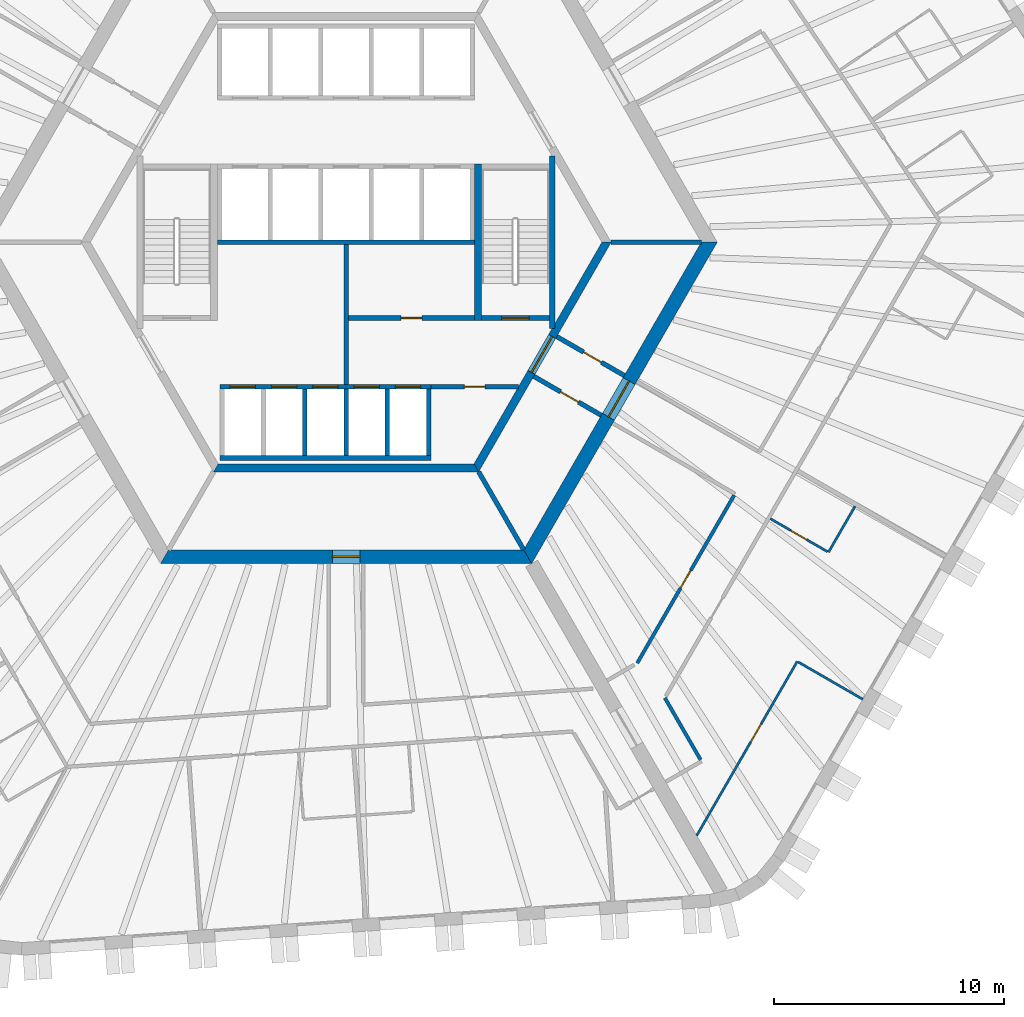
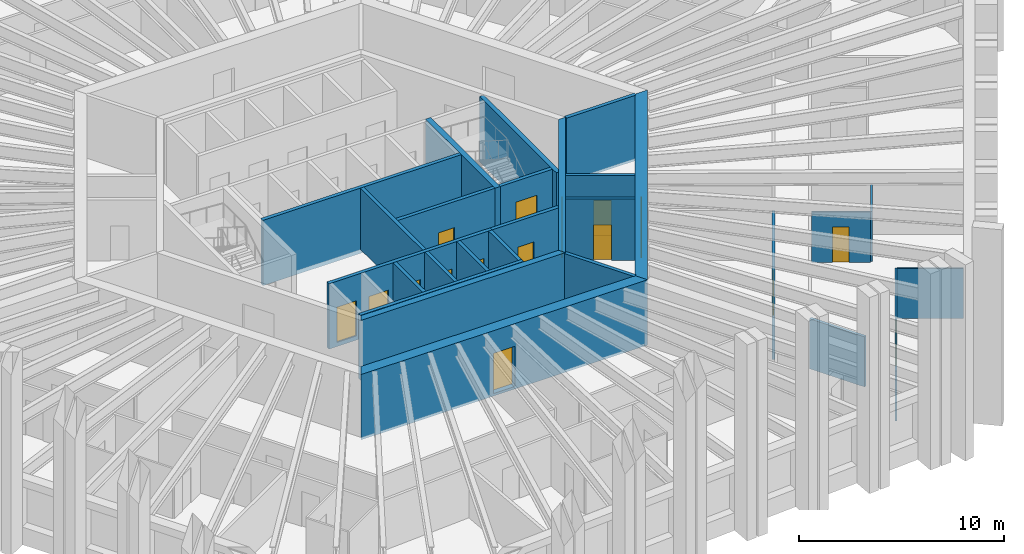
# One storey, part 5 of 13: 27 walls, 16 doors, 16 openings.
"""IFC4 building model written with IfcOpenShell, lengths in metres."""

from ifc_helpers import new_model, si_unit, direction, frame, frame_2d, origin, place, context, subcontext, project, spatial, polyline, rectangle, outline, extrude, material, layer, layer_set, type_object, element, fill, save


model = new_model("IFC4")

# Units and contexts
model_context = context("Model", 3, precision=1e-05, world=origin(), true_north=direction((0.0, 1.0)))
body_context = subcontext(model_context, "Body", "Model", "MODEL_VIEW")
ifc_project = project(units=[si_unit("LENGTHUNIT", "METRE"), si_unit("AREAUNIT", "SQUARE_METRE"), si_unit("VOLUMEUNIT", "CUBIC_METRE"), si_unit("PLANEANGLEUNIT", "RADIAN"), si_unit("MASSUNIT", "GRAM", prefix="KILO")], contexts=[model_context])

# Site, building, storey
site_placement = place(None, origin())
site = spatial("IfcSite", under=ifc_project, at=site_placement, CompositionType="ELEMENT")
building_placement = place(site_placement, origin())
building = spatial("IfcBuilding", under=site, at=building_placement, Name="Tarnside Tower", CompositionType="ELEMENT")
storey_placement = place(building_placement, frame((0.0, 0.0, 68.699951171875)))
storey = spatial("IfcBuildingStorey", under=building, at=storey_placement, Name="L14", CompositionType="ELEMENT", Elevation=68.699951171875)

# Wall
ifc_material_1 = material(Name="Gypsum board partition on steel studs", Category="steel")
ifc_layer_1 = layer(ifc_material_1, 0.10009765625)
ifc_layer_set_1 = layer_set([ifc_layer_1], Name="Bathroom wall 100")
wall_type_1 = type_object("IfcWallType", Name="Bathroom wall 100", PredefinedType="PARTITIONING", material=ifc_layer_set_1)
wall_1_placement = place(storey_placement, frame((22.16796875, -11.504150390625, 0.0), z_axis=(0.0, 0.0, 1.0), x_axis=(-0.500015210774, -0.866016621662, 0.0)))
element("IfcWall", 1, at=wall_1_placement, inside=storey, type_object=wall_type_1, Name="Bathroom wall 04127", PredefinedType="PARTITIONING", context=body_context, shape_type="SweptSolid", body=[
    extrude(rectangle(XDim=2.31005859375, YDim=0.10009765625, at=frame_2d((1.155029296875, 0.0))), origin(), (0.0, 0.0, 1.0), 2.98779296875),
])

# Wall, opening, door
wall_2_placement = place(storey_placement, frame((20.969482421875, -13.479736328125, 0.0), z_axis=(0.0, 0.0, 1.0), x_axis=(-0.866018712932, 0.500011588718, 0.0)))
wall_2 = element("IfcWall", 2, at=wall_2_placement, inside=storey, type_object=wall_type_1, Name="Bathroom wall 04128", PredefinedType="PARTITIONING", context=body_context, shape_type="SweptSolid", body=[
    extrude(rectangle(XDim=2.875, YDim=0.10009765625, at=frame_2d((1.4375, 0.0))), origin(), (0.0, 0.0, 1.0), 2.98779296875),
])
opening_1_placement = place(wall_2_placement, frame((1.050048828125, 0.0, 0.0)))
opening_1 = element("IfcOpeningElement", 3, at=opening_1_placement, cuts=wall_2, Name="Opening D-B1", PredefinedType="OPENING", context=body_context, shape_type="SweptSolid", body=[
    extrude(rectangle(XDim=0.800048828125, YDim=2.10009765625, at=frame_2d((0.39990234375, 1.050048828125))), frame((0.0, 0.06005859375, 0.0), z_axis=(0.0, -1.0, 0.0), x_axis=(1.0, 0.0, 0.0)), (0.0, 0.0, 1.0), 0.1201171875),
])
ifc_material_2 = material(Name="Timber door leaf", Category="wood")
door_type_1 = type_object("IfcDoorType", Name="Bathroom door 800", OperationType="NOTDEFINED", PredefinedType="DOOR", material=ifc_material_2)
door_1_placement = place(opening_1_placement, origin())
door_1 = element("IfcDoor", 4, at=door_1_placement, inside=storey, type_object=door_type_1, Name="Bathroom door 04029", OperationType="SINGLE_SWING_RIGHT", OverallHeight=2.10009765625, OverallWidth=0.800048828125, PredefinedType="DOOR", context=body_context, shape_type="SweptSolid", body=[
    extrude(rectangle(XDim=0.800048828125, YDim=2.10009765625, at=frame_2d((0.39990234375, 1.050048828125))), frame((0.0, 0.02490234375, 0.0), z_axis=(0.0, -1.0, 0.0), x_axis=(1.0, 0.0, 0.0)), (0.0, 0.0, 1.0), 0.050048828125),
])
fill(opening_1, door_1)

# Wall
ifc_material_3 = material(Name="Concrete C50/60", Category="concrete")
ifc_layer_2 = layer(ifc_material_3, 0.35009765625)
ifc_layer_set_2 = layer_set([ifc_layer_2], Name="Core block wall 350 C50/60")
wall_type_2 = type_object("IfcWallType", Name="Core block wall 350 C50/60", PredefinedType="SHEAR", material=ifc_layer_set_2)
wall_3_placement = place(storey_placement, frame((-5.672607421875, -9.824951171875, -0.14990234375), z_axis=(0.0, 0.0, 1.0), x_axis=(1.0, 0.0, 0.0)))
element("IfcWall", 5, at=wall_3_placement, inside=storey, type_object=wall_type_2, Name="L14 core block wall face 4", PredefinedType="SHEAR", context=body_context, shape_type="SweptSolid", body=[
    extrude(outline(polyline([(-0.10107421875, -0.175048828125), (11.4462890625, -0.175048828125), (11.244140625, 0.175048828125), (0.10107421875, 0.175048828125), (-0.10107421875, -0.175048828125)])), origin(), (0.0, 0.0, 1.0), 3.89990234375),
])

# Wall, opening, door
wall_4_placement = place(storey_placement, frame((5.672607421875, -9.824951171875, -0.14990234375), z_axis=(0.0, 0.0, 1.0), x_axis=(0.499995046907, 0.866028263435, 0.0)))
wall_4 = element("IfcWall", 6, at=wall_4_placement, inside=storey, type_object=wall_type_2, Name="L14 core block wall face 5", PredefinedType="SHEAR", context=body_context, shape_type="SweptSolid", body=[
    extrude(outline(polyline([(-0.10107421875, -0.175048828125), (11.44580078125, -0.175048828125), (11.24365234375, 0.175048828125), (0.10107421875, 0.175048828125), (-0.10107421875, -0.175048828125)])), origin(), (0.0, 0.0, 1.0), 3.89990234375),
])
opening_2_placement = place(wall_4_placement, frame((4.80126953125, 0.0, 0.14990234375)))
opening_2 = element("IfcOpeningElement", 7, at=opening_2_placement, cuts=wall_4, Name="Opening CD-FFL", PredefinedType="OPENING", context=body_context, shape_type="SweptSolid", body=[
    extrude(rectangle(XDim=1.800048828125, YDim=2.39990234375, at=frame_2d((0.89990234375, 1.199951171875))), frame((0.0, 0.18505859375, 0.0), z_axis=(0.0, -1.0, 0.0), x_axis=(1.0, 0.0, 0.0)), (0.0, 0.0, 1.0), 0.3701171875),
])
ifc_material_4 = material(Name="Steel fire door", Category="steel")
door_type_2 = type_object("IfcDoorType", Name="Firefighting lobby double door FD60S 1800x2400", OperationType="NOTDEFINED", PredefinedType="DOOR", material=ifc_material_4)
door_2_placement = place(opening_2_placement, origin())
door_2 = element("IfcDoor", 8, at=door_2_placement, inside=storey, type_object=door_type_2, Name="L14 lobby block door P4", OperationType="DOUBLE_DOOR_SINGLE_SWING", OverallHeight=2.39990234375, OverallWidth=1.800048828125, PredefinedType="DOOR", context=body_context, shape_type="SweptSolid", body=[
    extrude(rectangle(XDim=1.800048828125, YDim=2.39990234375, at=frame_2d((0.89990234375, 1.199951171875))), frame((0.0, 0.02490234375, 0.0), z_axis=(0.0, -1.0, 0.0), x_axis=(1.0, 0.0, 0.0)), (0.0, 0.0, 1.0), 0.050048828125),
])
fill(opening_2, door_2)

ifc_material_5 = material(Name="Concrete C40/50", Category="concrete")
ifc_layer_3 = layer(ifc_material_5, 0.199951171875)
ifc_layer_set_3 = layer_set([ifc_layer_3], Name="Core room partition 200 C40/50")
wall_type_3 = type_object("IfcWallType", Name="Core room partition 200 C40/50", PredefinedType="PARTITIONING", material=ifc_layer_set_3)
wall_5_placement = place(storey_placement, frame((0.10009765625, -3.300048828125, 0.0), z_axis=(0.0, 0.0, 1.0), x_axis=(1.0, 0.0, 0.0)))
wall_5 = element("IfcWall", 9, at=wall_5_placement, inside=storey, type_object=wall_type_3, Name="L14 core partition R3S1", PredefinedType="PARTITIONING", context=body_context, shape_type="SweptSolid", body=[
    extrude(rectangle(XDim=5.5, YDim=0.199951171875, at=frame_2d((2.75, 0.0))), origin(), (0.0, 0.0, 1.0), 3.650146484375),
])
opening_3_placement = place(wall_5_placement, frame((2.300048828125, 0.0, 0.0)))
opening_3 = element("IfcOpeningElement", 10, at=opening_3_placement, cuts=wall_5, Name="Opening CD-room", PredefinedType="OPENING", context=body_context, shape_type="SweptSolid", body=[
    extrude(rectangle(XDim=0.89990234375, YDim=2.10009765625, at=frame_2d((0.449951171875, 1.050048828125))), frame((0.0, 0.10986328125, 0.0), z_axis=(0.0, -1.0, 0.0), x_axis=(1.0, 0.0, 0.0)), (0.0, 0.0, 1.0), 0.219970703125),
])
door_type_3 = type_object("IfcDoorType", Name="Room door FD60 900x2100", OperationType="NOTDEFINED", PredefinedType="DOOR", material=ifc_material_4)
door_3_placement = place(opening_3_placement, origin())
door_3 = element("IfcDoor", 11, at=door_3_placement, inside=storey, type_object=door_type_3, Name="L14 core room door SR1", OperationType="SINGLE_SWING_LEFT", OverallHeight=2.10009765625, OverallWidth=0.89990234375, PredefinedType="DOOR", context=body_context, shape_type="SweptSolid", body=[
    extrude(rectangle(XDim=0.89990234375, YDim=2.10009765625, at=frame_2d((0.449951171875, 1.050048828125))), frame((0.0, 0.02490234375, 0.0), z_axis=(0.0, -1.0, 0.0), x_axis=(1.0, 0.0, 0.0)), (0.0, 0.0, 1.0), 0.050048828125),
])
fill(opening_3, door_3)

# Wall
wall_6_placement = place(storey_placement, frame((0.0, -6.199951171875, 0.0), z_axis=(0.0, 0.0, 1.0), x_axis=(0.0, 1.0, 0.0)))
element("IfcWall", 12, at=wall_6_placement, inside=storey, type_object=wall_type_3, Name="L14 core partition X0", PredefinedType="PARTITIONING", context=body_context, shape_type="SweptSolid", body=[
    extrude(rectangle(XDim=6.099853515625, YDim=0.199951171875, at=frame_2d((3.0498046875, 0.0))), origin(), (0.0, 0.0, 1.0), 3.650146484375),
])

# Wall, opening, door
wall_7_placement = place(storey_placement, frame((3.699951171875, -6.300048828125, 0.0), z_axis=(0.0, 0.0, 1.0), x_axis=(1.0, 0.0, 0.0)))
wall_7 = element("IfcWall", 13, at=wall_7_placement, inside=storey, type_object=wall_type_3, Name="L14 core partition R4X", PredefinedType="PARTITIONING", context=body_context, shape_type="SweptSolid", body=[
    extrude(rectangle(XDim=3.8056640625, YDim=0.199951171875, at=frame_2d((1.90283203125, 0.0))), origin(), (0.0, 0.0, 1.0), 3.650146484375),
])
opening_4_placement = place(wall_7_placement, frame((1.452880859375, 0.0, 0.0)))
opening_4 = element("IfcOpeningElement", 14, at=opening_4_placement, cuts=wall_7, Name="Opening CD-room", PredefinedType="OPENING", context=body_context, shape_type="SweptSolid", body=[
    extrude(rectangle(XDim=0.89990234375, YDim=2.10009765625, at=frame_2d((0.449951171875, 1.050048828125))), frame((0.0, 0.10986328125, 0.0), z_axis=(0.0, -1.0, 0.0), x_axis=(1.0, 0.0, 0.0)), (0.0, 0.0, 1.0), 0.219970703125),
])
door_4_placement = place(opening_4_placement, origin())
door_4 = element("IfcDoor", 15, at=door_4_placement, inside=storey, type_object=door_type_3, Name="L14 core room door RX", OperationType="SINGLE_SWING_LEFT", OverallHeight=2.10009765625, OverallWidth=0.89990234375, PredefinedType="DOOR", context=body_context, shape_type="SweptSolid", body=[
    extrude(rectangle(XDim=0.89990234375, YDim=2.10009765625, at=frame_2d((0.449951171875, 1.050048828125))), frame((0.0, 0.02490234375, 0.0), z_axis=(0.0, -1.0, 0.0), x_axis=(1.0, 0.0, 0.0)), (0.0, 0.0, 1.0), 0.050048828125),
])
fill(opening_4, door_4)

wall_8_placement = place(storey_placement, frame((9.1748046875, -4.10888671875, 0.0), z_axis=(0.0, 0.0, 1.0), x_axis=(0.865989465428, -0.500062241894, 0.0)))
wall_8 = element("IfcWall", 16, at=wall_8_placement, inside=storey, type_object=wall_type_3, Name="L14 core partition AC4L", PredefinedType="PARTITIONING", context=body_context, shape_type="SweptSolid", body=[
    extrude(rectangle(XDim=3.39990234375, YDim=0.199951171875, at=frame_2d((1.699951171875, 0.0))), origin(), (0.0, 0.0, 1.0), 3.650146484375),
])
opening_5_placement = place(wall_8_placement, frame((1.3505859375, 0.0, 0.0)))
opening_5 = element("IfcOpeningElement", 17, at=opening_5_placement, cuts=wall_8, Name="Opening CD-room", PredefinedType="OPENING", context=body_context, shape_type="SweptSolid", body=[
    extrude(rectangle(XDim=0.89990234375, YDim=2.10009765625, at=frame_2d((0.449951171875, 1.050048828125))), frame((0.0, 0.10986328125, 0.0), z_axis=(0.0, -1.0, 0.0), x_axis=(1.0, 0.0, 0.0)), (0.0, 0.0, 1.0), 0.219970703125),
])
door_5_placement = place(opening_5_placement, origin())
door_5 = element("IfcDoor", 18, at=door_5_placement, inside=storey, type_object=door_type_3, Name="L14 core room door AX4L", OperationType="SINGLE_SWING_LEFT", OverallHeight=2.10009765625, OverallWidth=0.89990234375, PredefinedType="DOOR", context=body_context, shape_type="SweptSolid", body=[
    extrude(rectangle(XDim=0.89990234375, YDim=2.10009765625, at=frame_2d((0.449951171875, 1.050048828125))), frame((0.0, 0.02490234375, 0.0), z_axis=(0.0, -1.0, 0.0), x_axis=(1.0, 0.0, 0.0)), (0.0, 0.0, 1.0), 0.050048828125),
])
fill(opening_5, door_5)

wall_9_placement = place(storey_placement, frame((8.1748046875, -5.841064453125, 0.0), z_axis=(0.0, 0.0, 1.0), x_axis=(0.866020560687, -0.500008388397, 0.0)))
wall_9 = element("IfcWall", 19, at=wall_9_placement, inside=storey, type_object=wall_type_3, Name="L14 core partition AC4R", PredefinedType="PARTITIONING", context=body_context, shape_type="SweptSolid", body=[
    extrude(rectangle(XDim=3.39990234375, YDim=0.199951171875, at=frame_2d((1.699951171875, 0.0))), origin(), (0.0, 0.0, 1.0), 3.650146484375),
])
opening_6_placement = place(wall_9_placement, frame((1.349609375, 0.0, 0.0)))
opening_6 = element("IfcOpeningElement", 20, at=opening_6_placement, cuts=wall_9, Name="Opening CD-room", PredefinedType="OPENING", context=body_context, shape_type="SweptSolid", body=[
    extrude(rectangle(XDim=0.89990234375, YDim=2.10009765625, at=frame_2d((0.449951171875, 1.050048828125))), frame((0.0, 0.10986328125, 0.0), z_axis=(0.0, -1.0, 0.0), x_axis=(1.0, 0.0, 0.0)), (0.0, 0.0, 1.0), 0.219970703125),
])
door_6_placement = place(opening_6_placement, origin())
door_6 = element("IfcDoor", 21, at=door_6_placement, inside=storey, type_object=door_type_3, Name="L14 core room door AX4R", OperationType="SINGLE_SWING_LEFT", OverallHeight=2.10009765625, OverallWidth=0.89990234375, PredefinedType="DOOR", context=body_context, shape_type="SweptSolid", body=[
    extrude(rectangle(XDim=0.89990234375, YDim=2.10009765625, at=frame_2d((0.449951171875, 1.050048828125))), frame((0.0, 0.02490234375, 0.0), z_axis=(0.0, -1.0, 0.0), x_axis=(1.0, 0.0, 0.0)), (0.0, 0.0, 1.0), 0.050048828125),
])
fill(opening_6, door_6)

ifc_material_6 = material(Name="Concrete C80/95", Category="concrete")
ifc_layer_4 = layer(ifc_material_6, 0.60009765625)
ifc_layer_set_4 = layer_set([ifc_layer_4], Name="Core wall Z1 600 C80/95")
wall_type_4 = type_object("IfcWallType", Name="Core wall Z1 600 C80/95", PredefinedType="SHEAR", material=ifc_layer_set_4)
wall_10_placement = place(storey_placement, frame((-7.90966796875, -13.699951171875, -0.14990234375), z_axis=(0.0, 0.0, 1.0), x_axis=(1.0, 0.0, 0.0)))
wall_10 = element("IfcWall", 22, at=wall_10_placement, inside=storey, type_object=wall_type_4, Name="L14 core wall face 4", PredefinedType="SHEAR", context=body_context, shape_type="SweptSolid", body=[
    extrude(outline(polyline([(-0.17333984375, -0.300048828125), (15.99267578125, -0.300048828125), (15.64599609375, 0.300048828125), (0.17333984375, 0.300048828125), (-0.17333984375, -0.300048828125)])), origin(), (0.0, 0.0, 1.0), 3.89990234375),
])
opening_7_placement = place(wall_10_placement, frame((7.309814453125, 0.0, 0.14990234375)))
opening_7 = element("IfcOpeningElement", 23, at=opening_7_placement, cuts=wall_10, Name="Opening CD-RSR", PredefinedType="OPENING", context=body_context, shape_type="SweptSolid", body=[
    extrude(rectangle(XDim=1.199951171875, YDim=2.39990234375, at=frame_2d((0.60009765625, 1.199951171875))), frame((0.0, 0.31005859375, 0.0), z_axis=(0.0, -1.0, 0.0), x_axis=(1.0, 0.0, 0.0)), (0.0, 0.0, 1.0), 0.6201171875),
])
door_type_4 = type_object("IfcDoorType", Name="Riser door FD60 1200x2400", OperationType="NOTDEFINED", PredefinedType="DOOR", material=ifc_material_4)
door_7_placement = place(opening_7_placement, origin())
door_7 = element("IfcDoor", 24, at=door_7_placement, inside=storey, type_object=door_type_4, Name="L14 core door S6", OperationType="SINGLE_SWING_LEFT", OverallHeight=2.39990234375, OverallWidth=1.199951171875, PredefinedType="DOOR", context=body_context, shape_type="SweptSolid", body=[
    extrude(rectangle(XDim=1.199951171875, YDim=2.39990234375, at=frame_2d((0.60009765625, 1.199951171875))), frame((0.0, 0.02490234375, 0.0), z_axis=(0.0, -1.0, 0.0), x_axis=(1.0, 0.0, 0.0)), (0.0, 0.0, 1.0), 0.050048828125),
])
fill(opening_7, door_7)

wall_11_placement = place(storey_placement, frame((7.90966796875, -13.699951171875, -0.14990234375), z_axis=(0.0, 0.0, 1.0), x_axis=(0.499999880136, 0.866025472988, 0.0)))
wall_11 = element("IfcWall", 25, at=wall_11_placement, inside=storey, type_object=wall_type_4, Name="L14 core wall face 5", PredefinedType="SHEAR", context=body_context, shape_type="SweptSolid", body=[
    extrude(outline(polyline([(-0.17333984375, -0.300048828125), (15.99267578125, -0.300048828125), (15.64599609375, 0.300048828125), (0.17333984375, 0.300048828125), (-0.17333984375, -0.300048828125)])), origin(), (0.0, 0.0, 1.0), 3.89990234375),
])
opening_8_placement = place(wall_11_placement, frame((7.03857421875, 0.0, 0.14990234375)))
opening_8 = element("IfcOpeningElement", 26, at=opening_8_placement, cuts=wall_11, Name="Opening CD-FFL", PredefinedType="OPENING", context=body_context, shape_type="SweptSolid", body=[
    extrude(rectangle(XDim=1.800048828125, YDim=2.39990234375, at=frame_2d((0.89990234375, 1.199951171875))), frame((0.0, 0.31005859375, 0.0), z_axis=(0.0, -1.0, 0.0), x_axis=(1.0, 0.0, 0.0)), (0.0, 0.0, 1.0), 0.6201171875),
])
door_8_placement = place(opening_8_placement, origin())
door_8 = element("IfcDoor", 27, at=door_8_placement, inside=storey, type_object=door_type_2, Name="L14 core door P4", OperationType="DOUBLE_DOOR_SINGLE_SWING", OverallHeight=2.39990234375, OverallWidth=1.800048828125, PredefinedType="DOOR", context=body_context, shape_type="SweptSolid", body=[
    extrude(rectangle(XDim=1.800048828125, YDim=2.39990234375, at=frame_2d((0.89990234375, 1.199951171875))), frame((0.0, 0.02490234375, 0.0), z_axis=(0.0, -1.0, 0.0), x_axis=(1.0, 0.0, 0.0)), (0.0, 0.0, 1.0), 0.050048828125),
])
fill(opening_8, door_8)

# Wall
ifc_layer_5 = layer(ifc_material_1, 0.14990234375)
ifc_layer_set_5 = layer_set([ifc_layer_5], Name="Corridor wall 150 EI 60")
wall_type_5 = type_object("IfcWallType", Name="Corridor wall 150 EI 60", PredefinedType="PARTITIONING", material=ifc_layer_set_5)
wall_12_placement = place(storey_placement, frame((15.44140625, -22.545166015625, 0.0), z_axis=(0.0, 0.0, 1.0), x_axis=(-0.500037089193, 0.86600398927, 0.0)))
element("IfcWall", 28, at=wall_12_placement, inside=storey, type_object=wall_type_5, Name="Corridor wall 04051", PredefinedType="PARTITIONING", context=body_context, shape_type="SweptSolid", body=[
    extrude(rectangle(XDim=3.112060546875, YDim=0.14990234375, at=frame_2d((1.55615234375, 0.0))), origin(), (0.0, 0.0, 1.0), 2.98779296875),
])

# Wall, opening, door
wall_13_placement = place(storey_placement, frame((16.90234375, -11.024169921875, 0.0), z_axis=(0.0, 0.0, 1.0), x_axis=(-0.499999527968, -0.866025676312, 0.0)))
wall_13 = element("IfcWall", 29, at=wall_13_placement, inside=storey, type_object=wall_type_5, Name="Corridor wall 04072", PredefinedType="PARTITIONING", context=body_context, shape_type="SweptSolid", body=[
    extrude(rectangle(XDim=8.44091796875, YDim=0.14990234375, at=frame_2d((4.220458984375, 0.0))), origin(), (0.0, 0.0, 1.0), 2.98779296875),
])
opening_9_placement = place(wall_13_placement, frame((3.7705078125, 0.0, 0.0)))
opening_9 = element("IfcOpeningElement", 30, at=opening_9_placement, cuts=wall_13, Name="Opening D-S1", PredefinedType="OPENING", context=body_context, shape_type="SweptSolid", body=[
    extrude(rectangle(XDim=0.89990234375, YDim=2.10009765625, at=frame_2d((0.449951171875, 1.050048828125))), frame((0.0, 0.0849609375, 0.0), z_axis=(0.0, -1.0, 0.0), x_axis=(1.0, 0.0, 0.0)), (0.0, 0.0, 1.0), 0.169921875),
])
door_type_5 = type_object("IfcDoorType", Name="Service room door 900 FD30S", OperationType="NOTDEFINED", PredefinedType="DOOR", material=ifc_material_2)
door_9_placement = place(opening_9_placement, origin())
door_9 = element("IfcDoor", 31, at=door_9_placement, inside=storey, type_object=door_type_5, Name="Service door 04048", OperationType="SINGLE_SWING_RIGHT", OverallHeight=2.10009765625, OverallWidth=0.89990234375, PredefinedType="DOOR", context=body_context, shape_type="SweptSolid", body=[
    extrude(rectangle(XDim=0.89990234375, YDim=2.10009765625, at=frame_2d((0.449951171875, 1.050048828125))), frame((0.0, 0.02490234375, 0.0), z_axis=(0.0, -1.0, 0.0), x_axis=(1.0, 0.0, 0.0)), (0.0, 0.0, 1.0), 0.050048828125),
])
fill(opening_9, door_9)

# Wall
ifc_layer_6 = layer(ifc_material_5, 0.199951171875)
ifc_layer_set_6 = layer_set([ifc_layer_6], Name="Lift shaft wall 200 C40/50")
wall_type_6 = type_object("IfcWallType", Name="Lift shaft wall 200 C40/50", PredefinedType="SHEAR", material=ifc_layer_set_6)
wall_14_placement = place(storey_placement, frame((-5.60009765625, 0.0, -0.25), z_axis=(0.0, 0.0, 1.0), x_axis=(1.0, 0.0, 0.0)))
element("IfcWall", 32, at=wall_14_placement, inside=storey, type_object=wall_type_6, Name="L14 lift shaft back wall R2", PredefinedType="SHEAR", context=body_context, shape_type="SweptSolid", body=[
    extrude(rectangle(XDim=11.2001953125, YDim=0.199951171875, at=frame_2d((5.60009765625, 0.0))), origin(), (0.0, 0.0, 1.0), 3.900146484375),
])

# Wall, openings, doors
wall_15_placement = place(storey_placement, frame((-5.5, -6.300048828125, -0.25), z_axis=(0.0, 0.0, 1.0), x_axis=(1.0, 0.0, 0.0)))
wall_15 = element("IfcWall", 33, at=wall_15_placement, inside=storey, type_object=wall_type_6, Name="L14 lift shaft front wall R4", PredefinedType="SHEAR", context=body_context, shape_type="SweptSolid", body=[
    extrude(rectangle(XDim=9.199951171875, YDim=0.199951171875, at=frame_2d((4.60009765625, 0.0))), origin(), (0.0, 0.0, 1.0), 3.900146484375),
])
opening_10_placement = place(wall_15_placement, frame((0.449951171875, 0.0, 0.25)))
opening_10 = element("IfcOpeningElement", 34, at=opening_10_placement, cuts=wall_15, Name="Opening LDF", PredefinedType="OPENING", context=body_context, shape_type="SweptSolid", body=[
    extrude(rectangle(XDim=1.10009765625, YDim=2.10009765625, at=frame_2d((0.550048828125, 1.050048828125))), frame((0.0, 0.10986328125, 0.0), z_axis=(0.0, -1.0, 0.0), x_axis=(1.0, 0.0, 0.0)), (0.0, 0.0, 1.0), 0.219970703125),
])
opening_11_placement = place(wall_15_placement, frame((2.25, 0.0, 0.25)))
opening_11 = element("IfcOpeningElement", 35, at=opening_11_placement, cuts=wall_15, Name="Opening LDF", PredefinedType="OPENING", context=body_context, shape_type="SweptSolid", body=[
    extrude(rectangle(XDim=1.10009765625, YDim=2.10009765625, at=frame_2d((0.550048828125, 1.050048828125))), frame((0.0, 0.10986328125, 0.0), z_axis=(0.0, -1.0, 0.0), x_axis=(1.0, 0.0, 0.0)), (0.0, 0.0, 1.0), 0.219970703125),
])
opening_12_placement = place(wall_15_placement, frame((4.050048828125, 0.0, 0.25)))
opening_12 = element("IfcOpeningElement", 36, at=opening_12_placement, cuts=wall_15, Name="Opening LDF", PredefinedType="OPENING", context=body_context, shape_type="SweptSolid", body=[
    extrude(rectangle(XDim=1.10009765625, YDim=2.10009765625, at=frame_2d((0.550048828125, 1.050048828125))), frame((0.0, 0.10986328125, 0.0), z_axis=(0.0, -1.0, 0.0), x_axis=(1.0, 0.0, 0.0)), (0.0, 0.0, 1.0), 0.219970703125),
])
opening_13_placement = place(wall_15_placement, frame((5.85009765625, 0.0, 0.25)))
opening_13 = element("IfcOpeningElement", 37, at=opening_13_placement, cuts=wall_15, Name="Opening LDF", PredefinedType="OPENING", context=body_context, shape_type="SweptSolid", body=[
    extrude(rectangle(XDim=1.10009765625, YDim=2.10009765625, at=frame_2d((0.550048828125, 1.050048828125))), frame((0.0, 0.10986328125, 0.0), z_axis=(0.0, -1.0, 0.0), x_axis=(1.0, 0.0, 0.0)), (0.0, 0.0, 1.0), 0.219970703125),
])
opening_14_placement = place(wall_15_placement, frame((7.64990234375, 0.0, 0.25)))
opening_14 = element("IfcOpeningElement", 38, at=opening_14_placement, cuts=wall_15, Name="Opening LDF", PredefinedType="OPENING", context=body_context, shape_type="SweptSolid", body=[
    extrude(rectangle(XDim=1.10009765625, YDim=2.10009765625, at=frame_2d((0.550048828125, 1.050048828125))), frame((0.0, 0.10986328125, 0.0), z_axis=(0.0, -1.0, 0.0), x_axis=(1.0, 0.0, 0.0)), (0.0, 0.0, 1.0), 0.219970703125),
])
ifc_material_7 = material(Name="Stainless steel", Category="steel")
door_type_6 = type_object("IfcDoorType", Name="Lift landing door 1100x2100 EI 120", OperationType="NOTDEFINED", PredefinedType="DOOR", material=ifc_material_7)
door_10_placement = place(opening_10_placement, origin())
door_10 = element("IfcDoor", 39, at=door_10_placement, inside=storey, type_object=door_type_6, Name="Firefighting lift 1 landing door L14", OperationType="SLIDING_TO_LEFT", OverallHeight=2.10009765625, OverallWidth=1.10009765625, PredefinedType="DOOR", context=body_context, shape_type="SweptSolid", body=[
    extrude(rectangle(XDim=1.10009765625, YDim=2.10009765625, at=frame_2d((0.550048828125, 1.050048828125))), frame((0.0, 0.02490234375, 0.0), z_axis=(0.0, -1.0, 0.0), x_axis=(1.0, 0.0, 0.0)), (0.0, 0.0, 1.0), 0.050048828125),
])
fill(opening_10, door_10)
door_11_placement = place(opening_11_placement, origin())
door_11 = element("IfcDoor", 40, at=door_11_placement, inside=storey, type_object=door_type_6, Name="Firefighting lift 2 landing door L14", OperationType="SLIDING_TO_LEFT", OverallHeight=2.10009765625, OverallWidth=1.10009765625, PredefinedType="DOOR", context=body_context, shape_type="SweptSolid", body=[
    extrude(rectangle(XDim=1.10009765625, YDim=2.10009765625, at=frame_2d((0.550048828125, 1.050048828125))), frame((0.0, 0.02490234375, 0.0), z_axis=(0.0, -1.0, 0.0), x_axis=(1.0, 0.0, 0.0)), (0.0, 0.0, 1.0), 0.050048828125),
])
fill(opening_11, door_11)
door_12_placement = place(opening_12_placement, origin())
door_12 = element("IfcDoor", 41, at=door_12_placement, inside=storey, type_object=door_type_6, Name="Firefighting lift 3 landing door L14", OperationType="SLIDING_TO_LEFT", OverallHeight=2.10009765625, OverallWidth=1.10009765625, PredefinedType="DOOR", context=body_context, shape_type="SweptSolid", body=[
    extrude(rectangle(XDim=1.10009765625, YDim=2.10009765625, at=frame_2d((0.550048828125, 1.050048828125))), frame((0.0, 0.02490234375, 0.0), z_axis=(0.0, -1.0, 0.0), x_axis=(1.0, 0.0, 0.0)), (0.0, 0.0, 1.0), 0.050048828125),
])
fill(opening_12, door_12)
door_13_placement = place(opening_13_placement, origin())
door_13 = element("IfcDoor", 42, at=door_13_placement, inside=storey, type_object=door_type_6, Name="Firefighting lift 4 landing door L14", OperationType="SLIDING_TO_LEFT", OverallHeight=2.10009765625, OverallWidth=1.10009765625, PredefinedType="DOOR", context=body_context, shape_type="SweptSolid", body=[
    extrude(rectangle(XDim=1.10009765625, YDim=2.10009765625, at=frame_2d((0.550048828125, 1.050048828125))), frame((0.0, 0.02490234375, 0.0), z_axis=(0.0, -1.0, 0.0), x_axis=(1.0, 0.0, 0.0)), (0.0, 0.0, 1.0), 0.050048828125),
])
fill(opening_13, door_13)
door_14_placement = place(opening_14_placement, origin())
door_14 = element("IfcDoor", 43, at=door_14_placement, inside=storey, type_object=door_type_6, Name="Firefighting lift 5 landing door L14", OperationType="SLIDING_TO_LEFT", OverallHeight=2.10009765625, OverallWidth=1.10009765625, PredefinedType="DOOR", context=body_context, shape_type="SweptSolid", body=[
    extrude(rectangle(XDim=1.10009765625, YDim=2.10009765625, at=frame_2d((0.550048828125, 1.050048828125))), frame((0.0, 0.02490234375, 0.0), z_axis=(0.0, -1.0, 0.0), x_axis=(1.0, 0.0, 0.0)), (0.0, 0.0, 1.0), 0.050048828125),
])
fill(opening_14, door_14)

# Walls
wall_16_placement = place(storey_placement, frame((-5.5, -9.39990234375, -0.25), z_axis=(0.0, 0.0, 1.0), x_axis=(1.0, 0.0, 0.0)))
element("IfcWall", 44, at=wall_16_placement, inside=storey, type_object=wall_type_6, Name="L14 lift shaft back wall R4", PredefinedType="SHEAR", context=body_context, shape_type="SweptSolid", body=[
    extrude(rectangle(XDim=9.199951171875, YDim=0.199951171875, at=frame_2d((4.60009765625, 0.0))), origin(), (0.0, 0.0, 1.0), 3.900146484375),
])
for number, where, z_axis, x_axis, name in (
    (45, (-1.800048828125, -9.300048828125, -0.25), (0.0, 0.0, 1.0), (0.0, 1.0, 0.0), "L14 lift shaft partition R43"),
    (46, (0.0, -9.300048828125, -0.25), (0.0, 0.0, 1.0), (0.0, 1.0, 0.0), "L14 lift shaft partition R44"),
    (47, (1.800048828125, -9.300048828125, -0.25), (0.0, 0.0, 1.0), (0.0, 1.0, 0.0), "L14 lift shaft partition R45"),
    (48, (3.60009765625, -9.300048828125, -0.25), (0.0, 0.0, 1.0), (0.0, 1.0, 0.0), "L14 lift shaft partition R46"),
):
    element("IfcWall", number, at=place(storey_placement, frame(where, z_axis=z_axis, x_axis=x_axis)), inside=storey, type_object=wall_type_6, Name=name, PredefinedType="SHEAR", context=body_context, shape_type="SweptSolid", body=[
        extrude(rectangle(XDim=2.900146484375, YDim=0.199951171875, at=frame_2d((1.4501953125, 0.0))), origin(), (0.0, 0.0, 1.0), 3.900146484375),
    ])
wall_17_placement = place(storey_placement, frame((11.547119140625, 0.0, -0.14990234375), z_axis=(0.0, 0.0, 1.0), x_axis=(1.0, 0.0, 0.0)))
element("IfcWall", 49, at=wall_17_placement, inside=storey, type_object=wall_type_6, Name="L14 core partition AR0", PredefinedType="SHEAR", context=body_context, shape_type="SweptSolid", body=[
    extrude(rectangle(XDim=3.92578125, YDim=0.199951171875, at=frame_2d((1.962890625, 0.0))), origin(), (0.0, 0.0, 1.0), 3.89990234375),
])
wall_18_placement = place(storey_placement, frame((5.7734375, -10.0, -0.14990234375), z_axis=(0.0, 0.0, 1.0), x_axis=(0.500038251005, -0.86600331843, 0.0)))
element("IfcWall", 50, at=wall_18_placement, inside=storey, type_object=wall_type_6, Name="L14 core partition AR300", PredefinedType="SHEAR", context=body_context, shape_type="SweptSolid", body=[
    extrude(rectangle(XDim=3.926025390625, YDim=0.199951171875, at=frame_2d((1.962890625, 0.0))), origin(), (0.0, 0.0, 1.0), 3.89990234375),
])

# Wall, opening, door
wall_19_placement = place(storey_placement, frame((5.89990234375, -3.300048828125, -0.25), z_axis=(0.0, 0.0, 1.0), x_axis=(1.0, 0.0, 0.0)))
wall_19 = element("IfcWall", 51, at=wall_19_placement, inside=storey, type_object=wall_type_6, Name="L14 stair 1 enclosure cap wall s", PredefinedType="SHEAR", context=body_context, shape_type="SweptSolid", body=[
    extrude(rectangle(XDim=2.9501953125, YDim=0.199951171875, at=frame_2d((1.47509765625, 0.0))), origin(), (0.0, 0.0, 1.0), 3.900146484375),
])
opening_15_placement = place(wall_19_placement, frame((0.875, 0.0, 0.25)))
opening_15 = element("IfcOpeningElement", 52, at=opening_15_placement, cuts=wall_19, Name="Opening CD-STR", PredefinedType="OPENING", context=body_context, shape_type="SweptSolid", body=[
    extrude(rectangle(XDim=1.199951171875, YDim=2.39990234375, at=frame_2d((0.60009765625, 1.199951171875))), frame((0.0, 0.10986328125, 0.0), z_axis=(0.0, -1.0, 0.0), x_axis=(1.0, 0.0, 0.0)), (0.0, 0.0, 1.0), 0.219970703125),
])
door_type_7 = type_object("IfcDoorType", Name="Stair door FD60S 1200x2400", OperationType="NOTDEFINED", PredefinedType="DOOR", material=ifc_material_4)
door_15_placement = place(opening_15_placement, origin())
door_15 = element("IfcDoor", 53, at=door_15_placement, inside=storey, type_object=door_type_7, Name="L14 stair 1 door", OperationType="SINGLE_SWING_LEFT", OverallHeight=2.39990234375, OverallWidth=1.199951171875, PredefinedType="DOOR", context=body_context, shape_type="SweptSolid", body=[
    extrude(rectangle(XDim=1.199951171875, YDim=2.39990234375, at=frame_2d((0.60009765625, 1.199951171875))), frame((0.0, 0.02490234375, 0.0), z_axis=(0.0, -1.0, 0.0), x_axis=(1.0, 0.0, 0.0)), (0.0, 0.0, 1.0), 0.050048828125),
])
fill(opening_15, door_15)

ifc_layer_7 = layer(ifc_material_1, 0.10009765625)
ifc_layer_set_7 = layer_set([ifc_layer_7], Name="Partition 100")
wall_type_7 = type_object("IfcWallType", Name="Partition 100", PredefinedType="PARTITIONING", material=ifc_layer_set_7)
wall_20_placement = place(storey_placement, frame((15.27099609375, -25.85009765625, 0.0), z_axis=(0.0, 0.0, 1.0), x_axis=(0.499983733712, 0.866034794927, 0.0)))
wall_20 = element("IfcWall", 54, at=wall_20_placement, inside=storey, type_object=wall_type_7, Name="Partition wall 04129", PredefinedType="PARTITIONING", context=body_context, shape_type="SweptSolid", body=[
    extrude(rectangle(XDim=8.762451171875, YDim=0.10009765625, at=frame_2d((4.38134765625, 0.0))), origin(), (0.0, 0.0, 1.0), 2.98779296875),
])
opening_16_placement = place(wall_20_placement, frame((4.71240234375, 0.0, 0.0)))
opening_16 = element("IfcOpeningElement", 55, at=opening_16_placement, cuts=wall_20, Name="Opening D-I1", PredefinedType="OPENING", context=body_context, shape_type="SweptSolid", body=[
    extrude(rectangle(XDim=0.89990234375, YDim=2.10009765625, at=frame_2d((0.449951171875, 1.050048828125))), frame((0.0, 0.06005859375, 0.0), z_axis=(0.0, -1.0, 0.0), x_axis=(1.0, 0.0, 0.0)), (0.0, 0.0, 1.0), 0.1201171875),
])
door_type_8 = type_object("IfcDoorType", Name="Internal door 900", OperationType="NOTDEFINED", PredefinedType="DOOR", material=ifc_material_2)
door_16_placement = place(opening_16_placement, origin())
door_16 = element("IfcDoor", 56, at=door_16_placement, inside=storey, type_object=door_type_8, Name="Internal door 04030", OperationType="SINGLE_SWING_LEFT", OverallHeight=2.10009765625, OverallWidth=0.89990234375, PredefinedType="DOOR", context=body_context, shape_type="SweptSolid", body=[
    extrude(rectangle(XDim=0.89990234375, YDim=2.10009765625, at=frame_2d((0.449951171875, 1.050048828125))), frame((0.0, 0.02490234375, 0.0), z_axis=(0.0, -1.0, 0.0), x_axis=(1.0, 0.0, 0.0)), (0.0, 0.0, 1.0), 0.050048828125),
])
fill(opening_16, door_16)

# Walls
wall_21_placement = place(storey_placement, frame((19.6953125, -18.28662109375, 0.0), z_axis=(0.0, 0.0, 1.0), x_axis=(0.866034226713, -0.499984717929, 0.0)))
element("IfcWall", 57, at=wall_21_placement, inside=storey, type_object=wall_type_7, Name="Partition wall 04130", PredefinedType="PARTITIONING", context=body_context, shape_type="SweptSolid", body=[
    extrude(rectangle(XDim=3.25, YDim=0.10009765625, at=frame_2d((1.625, 0.0))), origin(), (0.0, 0.0, 1.0), 2.98779296875),
])
ifc_layer_8 = layer(ifc_material_5, 0.25)
ifc_layer_set_8 = layer_set([ifc_layer_8], Name="Stair enclosure wall 250 C40/50")
wall_type_8 = type_object("IfcWallType", Name="Stair enclosure wall 250 C40/50", PredefinedType="SHEAR", material=ifc_layer_set_8)
wall_22_placement = place(storey_placement, frame((8.97509765625, -3.7548828125, -0.25), z_axis=(0.0, 0.0, 1.0), x_axis=(0.0, 1.0, 0.0)))
element("IfcWall", 58, at=wall_22_placement, inside=storey, type_object=wall_type_8, Name="L14 stair 1 enclosure wall outer", PredefinedType="SHEAR", context=body_context, shape_type="SweptSolid", body=[
    extrude(rectangle(XDim=7.509765625, YDim=0.25, at=frame_2d((3.7548828125, 0.0))), origin(), (0.0, 0.0, 1.0), 3.900146484375),
])
ifc_layer_9 = layer(ifc_material_5, 0.300048828125)
ifc_layer_set_9 = layer_set([ifc_layer_9], Name="Stair enclosure wall 300 C40/50")
wall_type_9 = type_object("IfcWallType", Name="Stair enclosure wall 300 C40/50", PredefinedType="SHEAR", material=ifc_layer_set_9)
wall_23_placement = place(storey_placement, frame((5.75, -3.39990234375, -0.25), z_axis=(0.0, 0.0, 1.0), x_axis=(0.0, 1.0, 0.0)))
element("IfcWall", 59, at=wall_23_placement, inside=storey, type_object=wall_type_9, Name="L14 stair 1 enclosure wall inner", PredefinedType="SHEAR", context=body_context, shape_type="SweptSolid", body=[
    extrude(rectangle(XDim=6.7998046875, YDim=0.300048828125, at=frame_2d((3.39990234375, 0.0))), origin(), (0.0, 0.0, 1.0), 3.900146484375),
])

save(model, "model.ifc")
